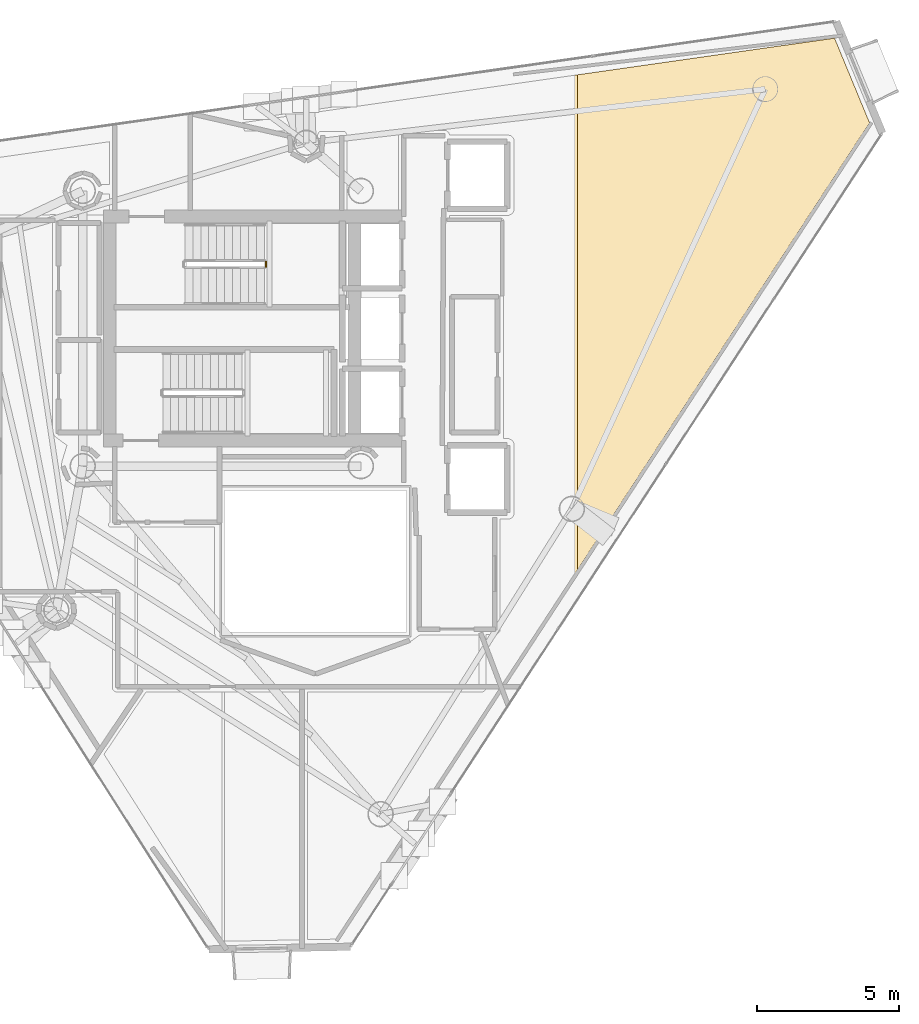
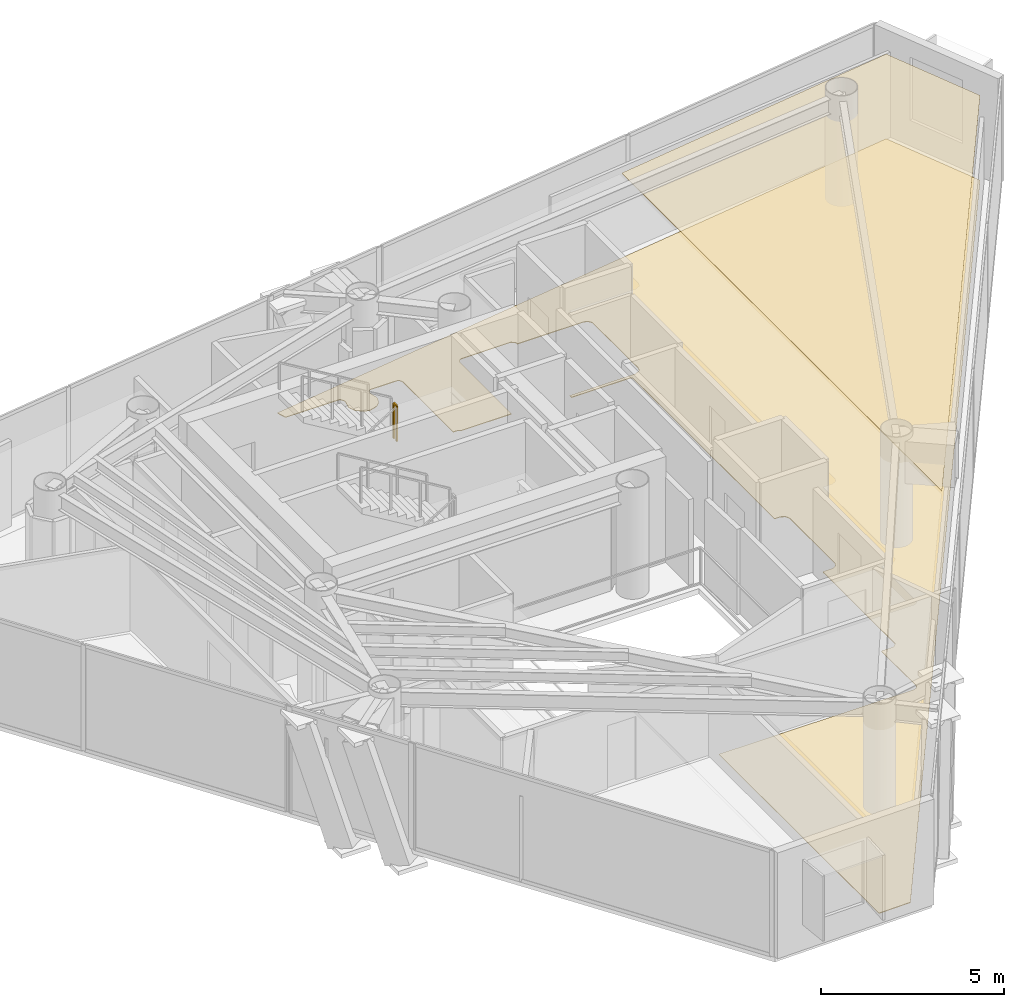
# One storey, part 25 of 25: 2 coverings, 1 railing.
"""IFC4 building model written with IfcOpenShell, lengths in metres."""

from ifc_helpers import new_model, si_unit, direction, frame, origin, origin_2d, place, context, subcontext, project, spatial, polyline, rectangle, outline, extrude, material, layer, layer_set, type_object, element, save


model = new_model("IFC4")

# Units and contexts
model_context = context("Model", 3, precision=1e-05, world=origin(), true_north=direction((0.0, 1.0)))
body_context = subcontext(model_context, "Body", "Model", "MODEL_VIEW")
ifc_project = project(units=[si_unit("LENGTHUNIT", "METRE"), si_unit("AREAUNIT", "SQUARE_METRE"), si_unit("VOLUMEUNIT", "CUBIC_METRE"), si_unit("PLANEANGLEUNIT", "RADIAN"), si_unit("MASSUNIT", "GRAM", prefix="KILO")], contexts=[model_context])

# Site, building, storey
site_placement = place(None, origin())
site = spatial("IfcSite", under=ifc_project, at=site_placement, CompositionType="ELEMENT")
building_placement = place(site_placement, origin())
building = spatial("IfcBuilding", under=site, at=building_placement, Name="Qianvela Tower", CompositionType="ELEMENT")
storey_placement = place(building_placement, frame((0.0, 0.0, 295.39990234375)))
storey = spatial("IfcBuildingStorey", under=building, at=storey_placement, Name="L76", CompositionType="ELEMENT", Elevation=295.39990234375)

# Coverings
ifc_material_1 = material(Name="Perforated Mineral Acoustic Ceiling Tile")
ifc_layer_1 = layer(ifc_material_1, 0.02490234375)
ifc_layer_set_1 = layer_set([ifc_layer_1], Name="Perforated Mineral Acoustic Ceiling Tile")
covering_type_1 = type_object("IfcCoveringType", Name="COV-CEIL-ACOUSTIC-25", PredefinedType="CEILING", material=ifc_layer_set_1)
covering_1_placement = place(storey_placement, frame((0.0, 0.0, 2.815185546875)))
element("IfcCovering", 1, at=covering_1_placement, inside=storey, type_object=covering_type_1, Name="L76 Acoustic Ceiling Bay 2 Campus Convenience Shop L76-03", PredefinedType="CEILING", context=body_context, shape_type="SweptSolid", body=[
    extrude(outline(polyline([(55.0888671875, 38.930908203125), (56.322509765625, 35.9462890625), (46.025390625, 20.19091796875), (46.025390625, 37.63671875), (55.0888671875, 38.930908203125)])), origin(), (0.0, 0.0, 1.0), 0.02490234375),
])
ifc_material_2 = material(Name="Engineered Acoustic Oak Timber Flooring", Category="wood")
ifc_layer_2 = layer(ifc_material_2, 0.02001953125)
ifc_layer_set_2 = layer_set([ifc_layer_2], Name="Engineered Acoustic Oak Timber Flooring")
covering_type_2 = type_object("IfcCoveringType", Name="COV-FLOOR-OAK-20", PredefinedType="FLOORING", material=ifc_layer_set_2)
covering_2_placement = place(storey_placement, origin())
element("IfcCovering", 2, at=covering_2_placement, inside=storey, type_object=covering_type_2, Name="L76 Finish Flooring Campus Convenience Shop L76-03", PredefinedType="FLOORING", context=body_context, shape_type="SweptSolid", body=[
    extrude(outline(polyline([(42.7373046875, 15.91943359375), (42.744384765625, 15.9228515625), (42.7509765625, 15.927001953125), (42.75732421875, 15.931640625), (42.76318359375, 15.93701171875), (42.768310546875, 15.942626953125), (42.773193359375, 15.948974609375), (42.777099609375, 15.955810546875), (42.780517578125, 15.962890625), (42.803955078125, 16.019287109375), (42.806640625, 16.02685546875), (42.80859375, 16.034423828125), (42.8095703125, 16.042236328125), (42.81005859375, 16.050048828125), (42.8076171875, 17.920166015625), (43.157958984375, 17.92041015625), (43.165771484375, 17.9208984375), (43.173583984375, 17.921875), (43.18115234375, 17.923828125), (43.1884765625, 17.926513671875), (43.195556640625, 17.9296875), (43.202392578125, 17.933837890625), (43.20849609375, 17.938720703125), (43.21435546875, 17.94384765625), (43.2861328125, 18.015625), (43.29150390625, 18.021484375), (43.296142578125, 18.027587890625), (43.30029296875, 18.034423828125), (43.303466796875, 18.04150390625), (43.30615234375, 18.048828125), (43.30810546875, 18.056640625), (43.30908203125, 18.064208984375), (43.3095703125, 18.072265625), (43.309326171875, 21.980712890625), (43.60791015625, 21.982666015625), (43.615478515625, 21.983154296875), (43.623291015625, 21.984375), (43.630859375, 21.986083984375), (43.637939453125, 21.98876953125), (43.64501953125, 21.9921875), (43.716796875, 22.030517578125), (43.723388671875, 22.034423828125), (43.729736328125, 22.039306640625), (43.735595703125, 22.04443359375), (43.74072265625, 22.05029296875), (43.74560546875, 22.056640625), (43.74951171875, 22.063232421875), (43.787841796875, 22.135009765625), (43.791259765625, 22.14208984375), (43.7939453125, 22.1494140625), (43.7958984375, 22.156982421875), (43.796875, 22.164794921875), (43.79736328125, 22.172607421875), (43.79931640625, 24.61376953125), (43.799072265625, 24.62060546875), (43.798095703125, 24.627685546875), (43.79638671875, 24.634765625), (43.79443359375, 24.641357421875), (43.79150390625, 24.64794921875), (43.751220703125, 24.733154296875), (43.74755859375, 24.739990234375), (43.743408203125, 24.74658203125), (43.73828125, 24.752685546875), (43.732666015625, 24.75830078125), (43.726806640625, 24.76318359375), (43.72021484375, 24.767578125), (43.713134765625, 24.771240234375), (43.6279296875, 24.8115234375), (43.619873046875, 24.81494140625), (43.611328125, 24.8173828125), (43.6025390625, 24.81884765625), (43.59375, 24.8193359375), (43.423828125, 24.8193359375), (43.423828125, 24.8193359375), (43.426513671875, 24.826904296875), (43.428466796875, 24.83447265625), (43.4296875, 24.84228515625), (43.429931640625, 24.85009765625), (43.429931640625, 32.5), (43.4296875, 32.5078125), (43.428466796875, 32.515625), (43.426513671875, 32.523193359375), (43.423828125, 32.530517578125), (43.420654296875, 32.53759765625), (43.41650390625, 32.54443359375), (43.411865234375, 32.55078125), (43.406494140625, 32.556640625), (43.40087890625, 32.561767578125), (43.394287109375, 32.56640625), (43.3876953125, 32.570556640625), (43.380615234375, 32.573974609375), (43.373291015625, 32.57666015625), (43.365478515625, 32.57861328125), (43.35791015625, 32.57958984375), (43.35009765625, 32.580078125), (41.52001953125, 32.580078125), (41.52001953125, 32.679931640625), (43.580078125, 32.679931640625), (43.587158203125, 32.680419921875), (43.593994140625, 32.68115234375), (43.60107421875, 32.682861328125), (43.607666015625, 32.684814453125), (43.6142578125, 32.687744140625), (43.722412109375, 32.739013671875), (43.729248046875, 32.74267578125), (43.73583984375, 32.746826171875), (43.741943359375, 32.751953125), (43.74755859375, 32.757568359375), (43.75244140625, 32.763427734375), (43.7568359375, 32.77001953125), (43.760498046875, 32.777099609375), (43.763427734375, 32.7841796875), (43.79541015625, 32.873046875), (43.79736328125, 32.879638671875), (43.798828125, 32.886474609375), (43.7998046875, 32.893310546875), (43.800048828125, 32.900390625), (43.789306640625, 35.35400390625), (43.788818359375, 35.36181640625), (43.787841796875, 35.369384765625), (43.785888671875, 35.376953125), (43.783203125, 35.38427734375), (43.77978515625, 35.391357421875), (43.77587890625, 35.398193359375), (43.771240234375, 35.404296875), (43.719482421875, 35.46728515625), (43.71435546875, 35.472900390625), (43.70849609375, 35.478271484375), (43.7021484375, 35.48291015625), (43.695556640625, 35.487060546875), (43.6884765625, 35.490234375), (43.680908203125, 35.492919921875), (43.603271484375, 35.5166015625), (43.595703125, 35.5185546875), (43.587890625, 35.51953125), (43.580078125, 35.52001953125), (41.515625, 35.52001953125), (41.513916015625, 35.554931640625), (41.512939453125, 35.562744140625), (41.511474609375, 35.5703125), (41.509033203125, 35.577880859375), (41.506103515625, 35.585205078125), (41.50244140625, 35.591796875), (41.498046875, 35.598388671875), (41.4931640625, 35.6044921875), (41.487548828125, 35.60986328125), (41.481689453125, 35.614990234375), (41.41552734375, 35.663818359375), (41.409423828125, 35.66796875), (41.40283203125, 35.67138671875), (41.396240234375, 35.67431640625), (41.38916015625, 35.6767578125), (41.382080078125, 35.67822265625), (41.374755859375, 35.67919921875), (41.367431640625, 35.6796875), (39.841796875, 35.670654296875), (39.83349609375, 35.670166015625), (39.825439453125, 35.668701171875), (39.817626953125, 35.666748046875), (39.81005859375, 35.663818359375), (39.802490234375, 35.659912109375), (39.795654296875, 35.655517578125), (39.789306640625, 35.650390625), (39.783447265625, 35.644775390625), (39.7783203125, 35.638427734375), (39.773681640625, 35.631591796875), (39.7314453125, 35.56103515625), (39.727294921875, 35.553466796875), (39.72412109375, 35.54541015625), (39.721923828125, 35.537109375), (39.720458984375, 35.528564453125), (39.719970703125, 35.52001953125), (39.719970703125, 32.719970703125), (38.129150390625, 32.719970703125), (38.068115234375, 32.756103515625), (38.060791015625, 32.760009765625), (38.052978515625, 32.76318359375), (38.044921875, 32.765380859375), (38.03662109375, 32.766845703125), (38.0283203125, 32.767333984375), (37.907470703125, 32.768798828125), (37.909912109375, 35.5), (37.90966796875, 35.507080078125), (37.90869140625, 35.513916015625), (37.9072265625, 35.52099609375), (37.905029296875, 35.527587890625), (37.90234375, 35.5341796875), (37.873046875, 35.595947265625), (37.869140625, 35.603271484375), (37.864501953125, 35.610107421875), (37.859375, 35.6162109375), (37.853515625, 35.6220703125), (37.84716796875, 35.626953125), (37.840087890625, 35.63134765625), (37.8330078125, 35.635009765625), (37.8251953125, 35.637939453125), (37.8173828125, 35.64013671875), (37.809326171875, 35.641357421875), (37.80126953125, 35.641845703125), (36.982421875, 35.64599609375), (36.974365234375, 35.645751953125), (36.96630859375, 35.64453125), (36.95849609375, 35.642578125), (36.950927734375, 35.639892578125), (36.94384765625, 35.636474609375), (36.93701171875, 35.63232421875), (36.930419921875, 35.62744140625), (36.9248046875, 35.6220703125), (36.919189453125, 35.615966796875), (36.914794921875, 35.609619140625), (36.91064453125, 35.6025390625), (36.875732421875, 35.5341796875), (36.87255859375, 35.527099609375), (36.8701171875, 35.51953125), (36.8681640625, 35.511962890625), (36.8671875, 35.504150390625), (36.866943359375, 35.49609375), (36.86767578125, 35.48828125), (36.868896484375, 35.48046875), (36.92431640625, 35.23291015625), (36.91748046875, 35.163330078125), (36.84765625, 34.99462890625), (36.72705078125, 34.874267578125), (36.4755859375, 34.796142578125), (36.305419921875, 34.830078125), (36.10302734375, 34.998291015625), (36.03466796875, 35.163330078125), (36.02783203125, 35.23291015625), (36.0830078125, 35.48046875), (36.08447265625, 35.48779296875), (36.0849609375, 35.4951171875), (36.0849609375, 35.502685546875), (36.083984375, 35.510009765625), (36.08251953125, 35.517333984375), (36.08056640625, 35.5244140625), (36.07763671875, 35.53125), (36.07421875, 35.537841796875), (36.03271484375, 35.610107421875), (36.028564453125, 35.61669921875), (36.02392578125, 35.62255859375), (36.0185546875, 35.6279296875), (36.012939453125, 35.633056640625), (36.0068359375, 35.637451171875), (36.000244140625, 35.64111328125), (35.993408203125, 35.644287109375), (35.986083984375, 35.64697265625), (35.978759765625, 35.648681640625), (35.97119140625, 35.64990234375), (35.9638671875, 35.650146484375), (34.30078125, 35.65966796875), (34.208740234375, 35.94921875), (55.0888671875, 38.930908203125), (56.322509765625, 35.9462890625), (37.52587890625, 7.18603515625), (36.52294921875, 7.166748046875), (36.52294921875, 15.889892578125), (42.64990234375, 15.889892578125), (42.65771484375, 15.890380859375), (42.66552734375, 15.8916015625), (42.673095703125, 15.893310546875), (42.6806640625, 15.89599609375), (42.7373046875, 15.91943359375)])), origin(), (0.0, 0.0, 1.0), 0.02001953125),
])

# Railing
ifc_material_3 = material(Name="Painted Tubular Steel Q355B", Category="steel")
railing_type = type_object("IfcRailingType", Name="RL-STAIR-GUARD-1200", PredefinedType="GUARDRAIL", material=ifc_material_3)
railing_placement = place(storey_placement, frame((35.050048828125, 30.889892578125, 1.85009765625)))
element("IfcRailing", 3, at=railing_placement, inside=storey, type_object=railing_type, Name="L76 ST-1 stair guard 2", PredefinedType="GUARDRAIL", context=body_context, shape_type="SweptSolid", body=[
    extrude(rectangle(XDim=0.050048828125, YDim=0.0400390625, at=origin_2d()), frame((0.0, 0.0, 1.179931640625), z_axis=(0.0, 1.0, 0.0), x_axis=(-1.0, 0.0, 0.0)), (0.0, 0.0, 1.0), 0.16015625),
    extrude(rectangle(XDim=0.050048828125, YDim=0.050048828125, at=origin_2d()), origin(), (0.0, 0.0, 1.0), 1.159912109375),
    extrude(rectangle(XDim=0.050048828125, YDim=0.050048828125, at=origin_2d()), frame((0.0, 0.16015625, 0.0)), (0.0, 0.0, 1.0), 1.159912109375),
])

save(model, "model.ifc")
